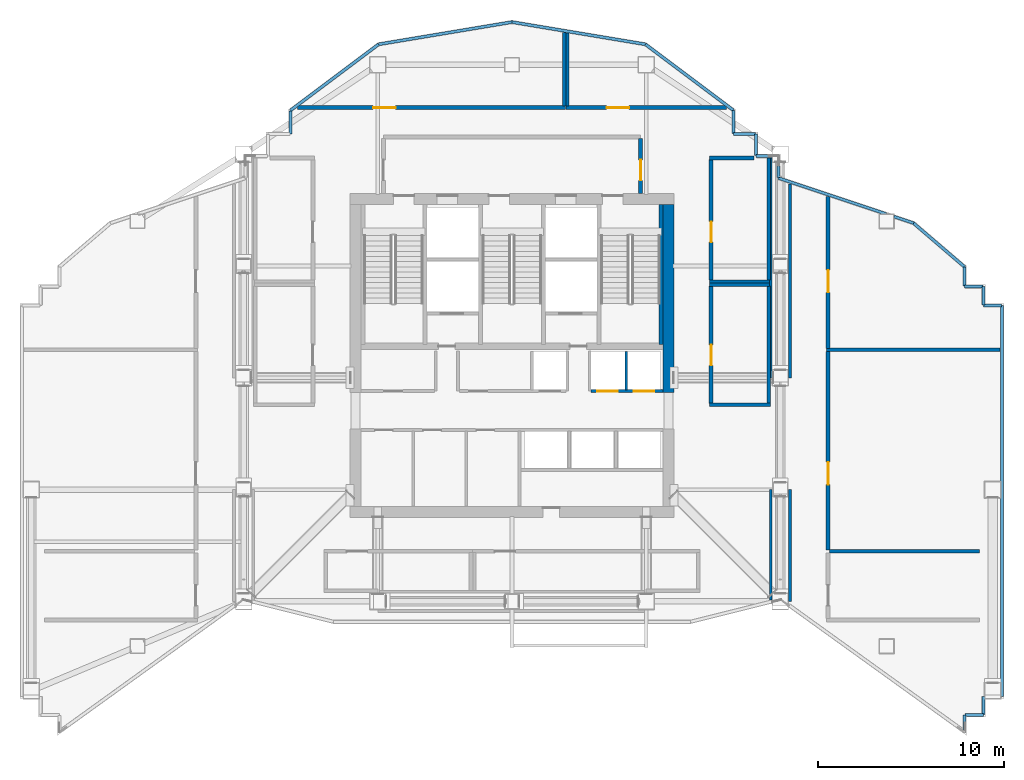
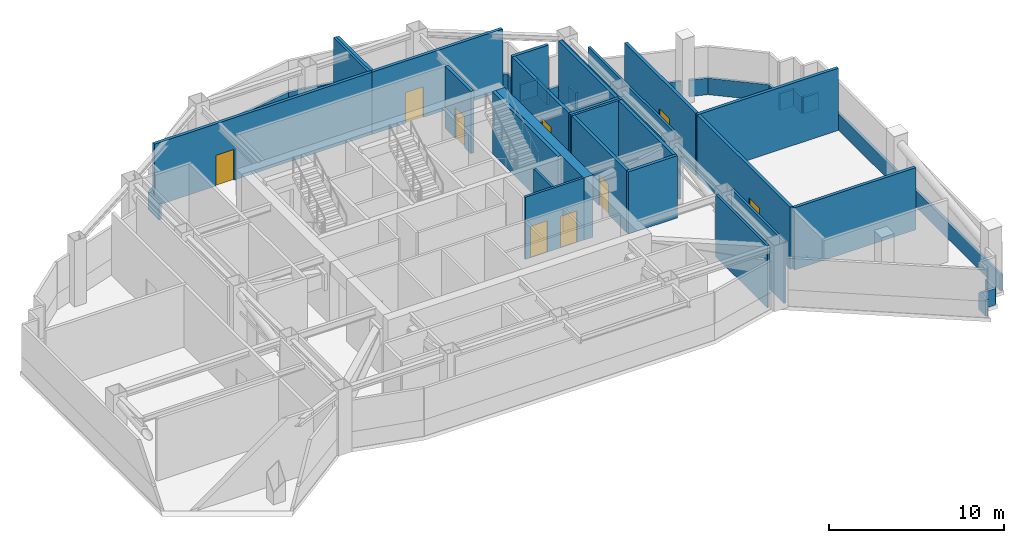
# One storey, part 14 of 19: 46 walls, 9 doors, 9 openings.
"""IFC4 building model written with IfcOpenShell, lengths in metres."""

from ifc_helpers import new_model, si_unit, direction, frame, frame_2d, origin, place, context, subcontext, project, spatial, rectangle, extrude, material, layer, layer_set, type_object, element, fill, save


model = new_model("IFC4")

# Units and contexts
model_context = context("Model", 3, precision=1e-05, world=origin(), true_north=direction((0.0, 1.0)))
body_context = subcontext(model_context, "Body", "Model", "MODEL_VIEW")
ifc_project = project(units=[si_unit("LENGTHUNIT", "METRE"), si_unit("AREAUNIT", "SQUARE_METRE"), si_unit("VOLUMEUNIT", "CUBIC_METRE"), si_unit("PLANEANGLEUNIT", "RADIAN"), si_unit("MASSUNIT", "GRAM", prefix="KILO")], contexts=[model_context])

# Site, building, storey
site_placement = place(None, origin())
site = spatial("IfcSite", under=ifc_project, at=site_placement, CompositionType="ELEMENT")
building_placement = place(site_placement, origin())
building = spatial("IfcBuilding", under=site, at=building_placement, Name="Haolan Belvedere Tower", CompositionType="ELEMENT")
storey_placement = place(building_placement, frame((0.0, 0.0, 230.60009765625)))
storey = spatial("IfcBuildingStorey", under=building, at=storey_placement, Name="L58", CompositionType="ELEMENT", Elevation=230.60009765625)

# Wall
ifc_material_1 = material(Name="Concrete C60/75", Category="concrete")
ifc_layer_1 = layer(ifc_material_1, 0.60009765625, Name="Concrete C60/75")
ifc_layer_set_1 = layer_set([ifc_layer_1], Name="Concrete C60/75")
wall_type_1 = type_object("IfcWallType", Name="WL-CORE-600", PredefinedType="SHEAR", material=ifc_layer_set_1)
wall_1_placement = place(storey_placement, frame((46.800048828125, 32.800048828125, 0.0), z_axis=(0.0, 0.0, 1.0), x_axis=(0.0, 1.0, 0.0)))
element("IfcWall", 1, at=wall_1_placement, inside=storey, type_object=wall_type_1, Name="L58 central core shear wall EN", PredefinedType="SHEAR", context=body_context, shape_type="SweptSolid", body=[
    extrude(rectangle(XDim=10.099853515625, YDim=0.60009765625, at=frame_2d((5.0498046875, 0.0))), origin(), (0.0, 0.0, 1.0), 4.349853515625),
])

# Wall, opening, door
ifc_material_2 = material(Name="Concrete C40/50", Category="concrete")
ifc_layer_2 = layer(ifc_material_2, 0.199951171875, Name="Concrete C40/50")
ifc_layer_set_2 = layer_set([ifc_layer_2], Name="Concrete C40/50")
wall_type_2 = type_object("IfcWallType", Name="WL-FIRE-200", PredefinedType="SOLIDWALL", material=ifc_layer_set_2)
wall_2_placement = place(storey_placement, frame((45.300048828125, 43.5, 0.0), z_axis=(0.0, 0.0, 1.0), x_axis=(0.0, 1.0, 0.0)))
wall_2 = element("IfcWall", 2, at=wall_2_placement, inside=storey, type_object=wall_type_2, Name="L58 interior partition IW-L58-FFL-E", PredefinedType="SOLIDWALL", context=body_context, shape_type="SweptSolid", body=[
    extrude(rectangle(XDim=2.93505859375, YDim=0.199951171875, at=frame_2d((1.467529296875, 0.0))), origin(), (0.0, 0.0, 1.0), 4.349853515625),
])
opening_1_placement = place(wall_2_placement, frame((0.699951171875, 0.0, 0.0)))
opening_1 = element("IfcOpeningElement", 3, at=opening_1_placement, cuts=wall_2, Name="Opening FD-03", PredefinedType="OPENING", context=body_context, shape_type="SweptSolid", body=[
    extrude(rectangle(XDim=1.10009765625, YDim=2.14990234375, at=frame_2d((0.550048828125, 1.074951171875))), frame((0.0, 0.10986328125, 0.0), z_axis=(0.0, -1.0, 0.0), x_axis=(1.0, 0.0, 0.0)), (0.0, 0.0, 1.0), 0.219970703125),
])
ifc_material_3 = material(Name="Galvanised fire-rated steel", Category="steel")
door_type_1 = type_object("IfcDoorType", Name="DR-FD90-1100", OperationType="NOTDEFINED", PredefinedType="DOOR", material=ifc_material_3)
door_1_placement = place(opening_1_placement, origin())
door_1 = element("IfcDoor", 4, at=door_1_placement, inside=storey, type_object=door_type_1, Name="L58 door ID-L58-FFL-DE", OperationType="SINGLE_SWING_RIGHT", OverallHeight=2.14990234375, OverallWidth=1.10009765625, PredefinedType="DOOR", context=body_context, shape_type="SweptSolid", body=[
    extrude(rectangle(XDim=1.10009765625, YDim=2.14990234375, at=frame_2d((0.550048828125, 1.074951171875))), frame((0.0, 0.02490234375, 0.0), z_axis=(0.0, -1.0, 0.0), x_axis=(1.0, 0.0, 0.0)), (0.0, 0.0, 1.0), 0.050048828125),
])
fill(opening_1, door_1)

# Wall
wall_3_placement = place(storey_placement, frame((55.280029296875, 35.10009765625, 0.0), z_axis=(0.0, 0.0, 1.0), x_axis=(1.0, 0.0, 0.0)))
element("IfcWall", 5, at=wall_3_placement, inside=storey, type_object=wall_type_2, Name="L58 interior partition IW-L58-REF-E1-N", PredefinedType="SOLIDWALL", context=body_context, shape_type="SweptSolid", body=[
    extrude(rectangle(XDim=9.307861328125, YDim=0.199951171875, at=frame_2d((4.65380859375, 0.0))), origin(), (0.0, 0.0, 1.0), 4.349853515625),
])

# Wall, opening, door
wall_4_placement = place(storey_placement, frame((55.360107421875, 24.3701171875, 0.0), z_axis=(0.0, 0.0, 1.0), x_axis=(0.0, 1.0, 0.0)))
wall_4 = element("IfcWall", 6, at=wall_4_placement, inside=storey, type_object=wall_type_2, Name="L58 interior partition IW-L58-REF-E1-W", PredefinedType="SOLIDWALL", context=body_context, shape_type="SweptSolid", body=[
    extrude(rectangle(XDim=10.644775390625, YDim=0.199951171875, at=frame_2d((5.322265625, 0.0))), origin(), (0.0, 0.0, 1.0), 4.349853515625),
])
opening_2_placement = place(wall_4_placement, frame((3.5, 0.0, 0.0)))
opening_2 = element("IfcOpeningElement", 7, at=opening_2_placement, cuts=wall_4, Name="Opening FD-02", PredefinedType="OPENING", context=body_context, shape_type="SweptSolid", body=[
    extrude(rectangle(XDim=1.199951171875, YDim=2.14990234375, at=frame_2d((0.60009765625, 1.074951171875))), frame((0.0, 0.10986328125, 0.0), z_axis=(0.0, -1.0, 0.0), x_axis=(1.0, 0.0, 0.0)), (0.0, 0.0, 1.0), 0.219970703125),
])
door_type_2 = type_object("IfcDoorType", Name="DR-FD90-1200", OperationType="NOTDEFINED", PredefinedType="DOOR", material=ifc_material_3)
door_2_placement = place(opening_2_placement, origin())
door_2 = element("IfcDoor", 8, at=door_2_placement, inside=storey, type_object=door_type_2, Name="L58 door ID-L58-REF-E1", OperationType="SINGLE_SWING_RIGHT", OverallHeight=2.14990234375, OverallWidth=1.199951171875, PredefinedType="DOOR", context=body_context, shape_type="SweptSolid", body=[
    extrude(rectangle(XDim=1.199951171875, YDim=2.14990234375, at=frame_2d((0.60009765625, 1.074951171875))), frame((0.0, 0.02490234375, 0.0), z_axis=(0.0, -1.0, 0.0), x_axis=(1.0, 0.0, 0.0)), (0.0, 0.0, 1.0), 0.050048828125),
])
fill(opening_2, door_2)

wall_5_placement = place(storey_placement, frame((55.360107421875, 35.18505859375, 0.0), z_axis=(0.0, 0.0, 1.0), x_axis=(0.0, 1.0, 0.0)))
wall_5 = element("IfcWall", 9, at=wall_5_placement, inside=storey, type_object=wall_type_2, Name="L58 interior partition IW-L58-REF-E2-W", PredefinedType="SOLIDWALL", context=body_context, shape_type="SweptSolid", body=[
    extrude(rectangle(XDim=8.13818359375, YDim=0.199951171875, at=frame_2d((4.069091796875, 0.0))), origin(), (0.0, 0.0, 1.0), 4.349853515625),
])
opening_3_placement = place(wall_5_placement, frame((2.9951171875, 0.0, 0.0)))
opening_3 = element("IfcOpeningElement", 10, at=opening_3_placement, cuts=wall_5, Name="Opening FD-02", PredefinedType="OPENING", context=body_context, shape_type="SweptSolid", body=[
    extrude(rectangle(XDim=1.199951171875, YDim=2.14990234375, at=frame_2d((0.60009765625, 1.074951171875))), frame((0.0, 0.10986328125, 0.0), z_axis=(0.0, -1.0, 0.0), x_axis=(1.0, 0.0, 0.0)), (0.0, 0.0, 1.0), 0.219970703125),
])
door_3_placement = place(opening_3_placement, origin())
door_3 = element("IfcDoor", 11, at=door_3_placement, inside=storey, type_object=door_type_2, Name="L58 door ID-L58-REF-E2", OperationType="SINGLE_SWING_LEFT", OverallHeight=2.14990234375, OverallWidth=1.199951171875, PredefinedType="DOOR", context=body_context, shape_type="SweptSolid", body=[
    extrude(rectangle(XDim=1.199951171875, YDim=2.14990234375, at=frame_2d((0.60009765625, 1.074951171875))), frame((0.0, 0.02490234375, 0.0), z_axis=(0.0, -1.0, 0.0), x_axis=(1.0, 0.0, 0.0)), (0.0, 0.0, 1.0), 0.050048828125),
])
fill(opening_3, door_3)

# Walls
wall_6_placement = place(storey_placement, frame((49.0, 38.60009765625, 0.0), z_axis=(0.0, 0.0, 1.0), x_axis=(1.0, 0.0, 0.0)))
element("IfcWall", 12, at=wall_6_placement, inside=storey, type_object=wall_type_2, Name="L58 interior partition IW-L58-REF-EI1-N", PredefinedType="SOLIDWALL", context=body_context, shape_type="SweptSolid", body=[
    extrude(rectangle(XDim=3.219970703125, YDim=0.199951171875, at=frame_2d((1.60986328125, 0.0))), origin(), (0.0, 0.0, 1.0), 4.349853515625),
])
wall_7_placement = place(storey_placement, frame((49.0, 32.14990234375, 0.0), z_axis=(0.0, 0.0, 1.0), x_axis=(1.0, 0.0, 0.0)))
element("IfcWall", 13, at=wall_7_placement, inside=storey, type_object=wall_type_2, Name="L58 interior partition IW-L58-REF-EI1-S", PredefinedType="SOLIDWALL", context=body_context, shape_type="SweptSolid", body=[
    extrude(rectangle(XDim=3.260009765625, YDim=0.199951171875, at=frame_2d((1.6298828125, 0.0))), origin(), (0.0, 0.0, 1.0), 4.349853515625),
])

# Wall, opening, door
wall_8_placement = place(storey_placement, frame((49.080078125, 32.235107421875, 0.0), z_axis=(0.0, 0.0, 1.0), x_axis=(0.0, 1.0, 0.0)))
wall_8 = element("IfcWall", 14, at=wall_8_placement, inside=storey, type_object=wall_type_2, Name="L58 interior partition IW-L58-REF-EI1-W", PredefinedType="SOLIDWALL", context=body_context, shape_type="SweptSolid", body=[
    extrude(rectangle(XDim=6.27978515625, YDim=0.199951171875, at=frame_2d((3.139892578125, 0.0))), origin(), (0.0, 0.0, 1.0), 4.349853515625),
])
opening_4_placement = place(wall_8_placement, frame((2.034912109375, 0.0, 0.0)))
opening_4 = element("IfcOpeningElement", 15, at=opening_4_placement, cuts=wall_8, Name="Opening FD-03", PredefinedType="OPENING", context=body_context, shape_type="SweptSolid", body=[
    extrude(rectangle(XDim=1.10009765625, YDim=2.14990234375, at=frame_2d((0.550048828125, 1.074951171875))), frame((0.0, 0.10986328125, 0.0), z_axis=(0.0, -1.0, 0.0), x_axis=(1.0, 0.0, 0.0)), (0.0, 0.0, 1.0), 0.219970703125),
])
door_4_placement = place(opening_4_placement, origin())
door_4 = element("IfcDoor", 16, at=door_4_placement, inside=storey, type_object=door_type_1, Name="L58 door ID-L58-REF-EI1", OperationType="SINGLE_SWING_RIGHT", OverallHeight=2.14990234375, OverallWidth=1.10009765625, PredefinedType="DOOR", context=body_context, shape_type="SweptSolid", body=[
    extrude(rectangle(XDim=1.10009765625, YDim=2.14990234375, at=frame_2d((0.550048828125, 1.074951171875))), frame((0.0, 0.02490234375, 0.0), z_axis=(0.0, -1.0, 0.0), x_axis=(1.0, 0.0, 0.0)), (0.0, 0.0, 1.0), 0.050048828125),
])
fill(opening_4, door_4)

# Walls
wall_9_placement = place(storey_placement, frame((52.179931640625, 32.235107421875, 0.0), z_axis=(0.0, 0.0, 1.0), x_axis=(0.0, 1.0, 0.0)))
element("IfcWall", 17, at=wall_9_placement, inside=storey, type_object=wall_type_2, Name="L58 interior partition IW-L58-REF-EI1-E", PredefinedType="SOLIDWALL", context=body_context, shape_type="SweptSolid", body=[
    extrude(rectangle(XDim=6.27978515625, YDim=0.199951171875, at=frame_2d((3.139892578125, 0.0))), origin(), (0.0, 0.0, 1.0), 4.349853515625),
])
wall_10_placement = place(storey_placement, frame((49.0, 45.39990234375, 0.0), z_axis=(0.0, 0.0, 1.0), x_axis=(1.0, 0.0, 0.0)))
element("IfcWall", 18, at=wall_10_placement, inside=storey, type_object=wall_type_2, Name="L58 interior partition IW-L58-REF-EI2-N", PredefinedType="SOLIDWALL", context=body_context, shape_type="SweptSolid", body=[
    extrude(rectangle(XDim=2.387939453125, YDim=0.199951171875, at=frame_2d((1.19384765625, 0.0))), origin(), (0.0, 0.0, 1.0), 4.349853515625),
])
wall_11_placement = place(storey_placement, frame((49.0, 38.760009765625, 0.0), z_axis=(0.0, 0.0, 1.0), x_axis=(1.0, 0.0, 0.0)))
element("IfcWall", 19, at=wall_11_placement, inside=storey, type_object=wall_type_2, Name="L58 interior partition IW-L58-REF-EI2-S", PredefinedType="SOLIDWALL", context=body_context, shape_type="SweptSolid", body=[
    extrude(rectangle(XDim=3.219970703125, YDim=0.199951171875, at=frame_2d((1.60986328125, 0.0))), origin(), (0.0, 0.0, 1.0), 4.349853515625),
])

# Wall, opening, door
wall_12_placement = place(storey_placement, frame((49.080078125, 38.844970703125, 0.0), z_axis=(0.0, 0.0, 1.0), x_axis=(0.0, 1.0, 0.0)))
wall_12 = element("IfcWall", 20, at=wall_12_placement, inside=storey, type_object=wall_type_2, Name="L58 interior partition IW-L58-REF-EI2-W", PredefinedType="SOLIDWALL", context=body_context, shape_type="SweptSolid", body=[
    extrude(rectangle(XDim=6.469970703125, YDim=0.199951171875, at=frame_2d((3.23486328125, 0.0))), origin(), (0.0, 0.0, 1.0), 4.349853515625),
])
opening_5_placement = place(wall_12_placement, frame((2.034912109375, 0.0, 0.0)))
opening_5 = element("IfcOpeningElement", 21, at=opening_5_placement, cuts=wall_12, Name="Opening FD-03", PredefinedType="OPENING", context=body_context, shape_type="SweptSolid", body=[
    extrude(rectangle(XDim=1.10009765625, YDim=2.14990234375, at=frame_2d((0.550048828125, 1.074951171875))), frame((0.0, 0.10986328125, 0.0), z_axis=(0.0, -1.0, 0.0), x_axis=(1.0, 0.0, 0.0)), (0.0, 0.0, 1.0), 0.219970703125),
])
door_5_placement = place(opening_5_placement, origin())
door_5 = element("IfcDoor", 22, at=door_5_placement, inside=storey, type_object=door_type_1, Name="L58 door ID-L58-REF-EI2", OperationType="SINGLE_SWING_LEFT", OverallHeight=2.14990234375, OverallWidth=1.10009765625, PredefinedType="DOOR", context=body_context, shape_type="SweptSolid", body=[
    extrude(rectangle(XDim=1.10009765625, YDim=2.14990234375, at=frame_2d((0.550048828125, 1.074951171875))), frame((0.0, 0.02490234375, 0.0), z_axis=(0.0, -1.0, 0.0), x_axis=(1.0, 0.0, 0.0)), (0.0, 0.0, 1.0), 0.050048828125),
])
fill(opening_5, door_5)

# Wall
wall_13_placement = place(storey_placement, frame((52.179931640625, 38.844970703125, 0.0), z_axis=(0.0, 0.0, 1.0), x_axis=(0.0, 1.0, 0.0)))
element("IfcWall", 23, at=wall_13_placement, inside=storey, type_object=wall_type_2, Name="L58 interior partition IW-L58-REF-EI2-E", PredefinedType="SOLIDWALL", context=body_context, shape_type="SweptSolid", body=[
    extrude(rectangle(XDim=6.54296875, YDim=0.199951171875, at=frame_2d((3.271484375, 0.0))), origin(), (0.0, 0.0, 1.0), 4.349853515625),
])

# Wall, opening, door
wall_14_placement = place(storey_placement, frame((26.88671875, 48.10009765625, 0.0), z_axis=(0.0, 0.0, 1.0), x_axis=(1.0, 0.0, 0.0)))
wall_14 = element("IfcWall", 24, at=wall_14_placement, inside=storey, type_object=wall_type_2, Name="L58 interior partition IW-L58-REF-NW-S", PredefinedType="SOLIDWALL", context=body_context, shape_type="SweptSolid", body=[
    extrude(rectangle(XDim=14.393310546875, YDim=0.199951171875, at=frame_2d((7.19677734375, 0.0))), origin(), (0.0, 0.0, 1.0), 4.349853515625),
])
opening_6_placement = place(wall_14_placement, frame((4.063232421875, 0.0, 0.0)))
opening_6 = element("IfcOpeningElement", 25, at=opening_6_placement, cuts=wall_14, Name="Opening FD-02", PredefinedType="OPENING", context=body_context, shape_type="SweptSolid", body=[
    extrude(rectangle(XDim=1.199951171875, YDim=2.14990234375, at=frame_2d((0.60009765625, 1.074951171875))), frame((0.0, 0.10986328125, 0.0), z_axis=(0.0, -1.0, 0.0), x_axis=(1.0, 0.0, 0.0)), (0.0, 0.0, 1.0), 0.219970703125),
])
door_6_placement = place(opening_6_placement, origin())
door_6 = element("IfcDoor", 26, at=door_6_placement, inside=storey, type_object=door_type_2, Name="L58 door ID-L58-REF-NW", OperationType="SINGLE_SWING_LEFT", OverallHeight=2.14990234375, OverallWidth=1.199951171875, PredefinedType="DOOR", context=body_context, shape_type="SweptSolid", body=[
    extrude(rectangle(XDim=1.199951171875, YDim=2.14990234375, at=frame_2d((0.60009765625, 1.074951171875))), frame((0.0, 0.02490234375, 0.0), z_axis=(0.0, -1.0, 0.0), x_axis=(1.0, 0.0, 0.0)), (0.0, 0.0, 1.0), 0.050048828125),
])
fill(opening_6, door_6)

# Wall
wall_15_placement = place(storey_placement, frame((41.199951171875, 48.18505859375, 0.0), z_axis=(0.0, 0.0, 1.0), x_axis=(0.0, 1.0, 0.0)))
element("IfcWall", 27, at=wall_15_placement, inside=storey, type_object=wall_type_2, Name="L58 interior partition IW-L58-REF-NW-E", PredefinedType="SOLIDWALL", context=body_context, shape_type="SweptSolid", body=[
    extrude(rectangle(XDim=3.933349609375, YDim=0.199951171875, at=frame_2d((1.966796875, 0.0))), origin(), (0.0, 0.0, 1.0), 4.349853515625),
])

# Wall, opening, door
wall_16_placement = place(storey_placement, frame((41.284912109375, 48.10009765625, 0.0), z_axis=(0.0, 0.0, 1.0), x_axis=(1.0, 0.0, 0.0)))
wall_16 = element("IfcWall", 28, at=wall_16_placement, inside=storey, type_object=wall_type_2, Name="L58 interior partition IW-L58-REF-NE-S", PredefinedType="SOLIDWALL", context=body_context, shape_type="SweptSolid", body=[
    extrude(rectangle(XDim=8.62841796875, YDim=0.199951171875, at=frame_2d((4.314208984375, 0.0))), origin(), (0.0, 0.0, 1.0), 4.349853515625),
])
opening_7_placement = place(wall_16_placement, frame((2.195068359375, 0.0, 0.0)))
opening_7 = element("IfcOpeningElement", 29, at=opening_7_placement, cuts=wall_16, Name="Opening FD-02", PredefinedType="OPENING", context=body_context, shape_type="SweptSolid", body=[
    extrude(rectangle(XDim=1.199951171875, YDim=2.14990234375, at=frame_2d((0.60009765625, 1.074951171875))), frame((0.0, 0.10986328125, 0.0), z_axis=(0.0, -1.0, 0.0), x_axis=(1.0, 0.0, 0.0)), (0.0, 0.0, 1.0), 0.219970703125),
])
door_7_placement = place(opening_7_placement, origin())
door_7 = element("IfcDoor", 30, at=door_7_placement, inside=storey, type_object=door_type_2, Name="L58 door ID-L58-REF-NE", OperationType="SINGLE_SWING_RIGHT", OverallHeight=2.14990234375, OverallWidth=1.199951171875, PredefinedType="DOOR", context=body_context, shape_type="SweptSolid", body=[
    extrude(rectangle(XDim=1.199951171875, YDim=2.14990234375, at=frame_2d((0.60009765625, 1.074951171875))), frame((0.0, 0.02490234375, 0.0), z_axis=(0.0, -1.0, 0.0), x_axis=(1.0, 0.0, 0.0)), (0.0, 0.0, 1.0), 0.050048828125),
])
fill(opening_7, door_7)

# Walls
wall_17_placement = place(storey_placement, frame((41.360107421875, 48.18505859375, 0.0), z_axis=(0.0, 0.0, 1.0), x_axis=(0.0, 1.0, 0.0)))
element("IfcWall", 31, at=wall_17_placement, inside=storey, type_object=wall_type_2, Name="L58 interior partition IW-L58-REF-NE-W", PredefinedType="SOLIDWALL", context=body_context, shape_type="SweptSolid", body=[
    extrude(rectangle(XDim=3.90673828125, YDim=0.199951171875, at=frame_2d((1.953369140625, 0.0))), origin(), (0.0, 0.0, 1.0), 4.349853515625),
])
wall_18_placement = place(storey_placement, frame((55.445068359375, 24.2900390625, 0.0), z_axis=(0.0, 0.0, 1.0), x_axis=(1.0, 0.0, 0.0)))
element("IfcWall", 32, at=wall_18_placement, inside=storey, type_object=wall_type_2, Name="L58 interior partition IW-L58-PLT-TNK-N", PredefinedType="SOLIDWALL", context=body_context, shape_type="SweptSolid", body=[
    extrude(rectangle(XDim=8.034912109375, YDim=0.199951171875, at=frame_2d((4.017578125, 0.0))), origin(), (0.0, 0.0, 1.0), 4.349853515625),
])
ifc_material_4 = material(Name="Precast concrete C40/50", Category="concrete")
ifc_layer_3 = layer(ifc_material_4, 0.159912109375, Name="Precast concrete C40/50")
ifc_layer_set_3 = layer_set([ifc_layer_3], Name="Precast concrete C40/50")
wall_type_3 = type_object("IfcWallType", Name="WL-PAR-160", PredefinedType="PARAPET", material=ifc_layer_set_3)
wall_19_placement = place(storey_placement, frame((62.68994140625, 14.70458984375, 0.0), z_axis=(0.0, 0.0, 1.0), x_axis=(0.0, 1.0, 0.0)))
element("IfcWall", 33, at=wall_19_placement, inside=storey, type_object=wall_type_3, Name="L58 refuge open-band parapet 4.1", PredefinedType="PARAPET", context=body_context, shape_type="SweptSolid", body=[
    extrude(rectangle(XDim=0.805419921875, YDim=0.159912109375, at=frame_2d((0.40283203125, 0.0))), origin(), (0.0, 0.0, 1.0), 1.14990234375),
])
for number, where, z_axis, x_axis, name in (
    (34, (62.719970703125, 15.510009765625, 0.0), (0.0, 0.0, 1.0), (1.0, 0.0, 0.0), "L58 refuge open-band parapet 5.1"),
    (35, (63.68994140625, 15.5400390625, 0.0), (0.0, 0.0, 1.0), (0.0, 1.0, 0.0), "L58 refuge open-band parapet 6.1"),
):
    element("IfcWall", number, at=place(storey_placement, frame(where, z_axis=z_axis, x_axis=x_axis)), inside=storey, type_object=wall_type_3, Name=name, PredefinedType="PARAPET", context=body_context, shape_type="SweptSolid", body=[
        extrude(rectangle(XDim=0.969970703125, YDim=0.159912109375, at=frame_2d((0.48486328125, 0.0))), origin(), (0.0, 0.0, 1.0), 1.14990234375),
    ])
wall_20_placement = place(storey_placement, frame((64.68994140625, 16.510009765625, 0.0), z_axis=(0.0, 0.0, 1.0), x_axis=(0.0, 1.0, 0.0)))
element("IfcWall", 36, at=wall_20_placement, inside=storey, type_object=wall_type_3, Name="L58 refuge open-band parapet 8.1", PredefinedType="PARAPET", context=body_context, shape_type="SweptSolid", body=[
    extrude(rectangle(XDim=20.97998046875, YDim=0.159912109375, at=frame_2d((10.489990234375, 0.0))), origin(), (0.0, 0.0, 1.0), 1.14990234375),
])
for number, where, z_axis, x_axis, name in (
    (37, (64.659912109375, 37.489990234375, 0.0), (0.0, 0.0, 1.0), (-1.0, 0.0, 0.0), "L58 refuge open-band parapet 9.1"),
    (38, (63.68994140625, 37.52001953125, 0.0), (0.0, 0.0, 1.0), (0.0, 1.0, 0.0), "L58 refuge open-band parapet 10.1"),
    (39, (63.659912109375, 38.489990234375, 0.0), (0.0, 0.0, 1.0), (-1.0, 0.0, 0.0), "L58 refuge open-band parapet 11.1"),
):
    element("IfcWall", number, at=place(storey_placement, frame(where, z_axis=z_axis, x_axis=x_axis)), inside=storey, type_object=wall_type_3, Name=name, PredefinedType="PARAPET", context=body_context, shape_type="SweptSolid", body=[
        extrude(rectangle(XDim=0.969970703125, YDim=0.159912109375, at=frame_2d((0.48486328125, 0.0))), origin(), (0.0, 0.0, 1.0), 1.14990234375),
    ])
wall_21_placement = place(storey_placement, frame((62.68994140625, 38.52001953125, 0.0), z_axis=(0.0, 0.0, 1.0), x_axis=(0.0, 1.0, 0.0)))
element("IfcWall", 40, at=wall_21_placement, inside=storey, type_object=wall_type_3, Name="L58 refuge open-band parapet 12.1", PredefinedType="PARAPET", context=body_context, shape_type="SweptSolid", body=[
    extrude(rectangle(XDim=1.029296875, YDim=0.159912109375, at=frame_2d((0.5146484375, 0.0))), origin(), (0.0, 0.0, 1.0), 1.14990234375),
])
wall_22_placement = place(storey_placement, frame((62.68994140625, 39.54931640625, 0.0), z_axis=(0.0, 0.0, 1.0), x_axis=(-0.759213704594, 0.650841417518, 0.0)))
element("IfcWall", 41, at=wall_22_placement, inside=storey, type_object=wall_type_3, Name="L58 refuge open-band parapet 13.1", PredefinedType="PARAPET", context=body_context, shape_type="SweptSolid", body=[
    extrude(rectangle(XDim=3.61572265625, YDim=0.159912109375, at=frame_2d((1.807861328125, 0.0))), origin(), (0.0, 0.0, 1.0), 1.14990234375),
])
wall_23_placement = place(storey_placement, frame((59.94482421875, 41.902587890625, 0.0), z_axis=(0.0, 0.0, 1.0), x_axis=(-0.948705297269, 0.316161760709, 0.0)))
element("IfcWall", 42, at=wall_23_placement, inside=storey, type_object=wall_type_3, Name="L58 refuge open-band parapet 14.1", PredefinedType="PARAPET", context=body_context, shape_type="SweptSolid", body=[
    extrude(rectangle(XDim=1.109619140625, YDim=0.159912109375, at=frame_2d((0.5546875, 0.0))), origin(), (0.0, 0.0, 1.0), 1.14990234375),
])
wall_24_placement = place(storey_placement, frame((58.476318359375, 42.39208984375, 0.0), z_axis=(0.0, 0.0, 1.0), x_axis=(-0.948687300706, 0.316215757798, 0.0)))
element("IfcWall", 43, at=wall_24_placement, inside=storey, type_object=wall_type_3, Name="L58 refuge open-band parapet 14.2", PredefinedType="PARAPET", context=body_context, shape_type="SweptSolid", body=[
    extrude(rectangle(XDim=6.099365234375, YDim=0.159912109375, at=frame_2d((3.0498046875, 0.0))), origin(), (0.0, 0.0, 1.0), 1.14990234375),
])
wall_25_placement = place(storey_placement, frame((52.68994140625, 44.3505859375, 0.0), z_axis=(0.0, 0.0, 1.0), x_axis=(0.0, 1.0, 0.0)))
element("IfcWall", 44, at=wall_25_placement, inside=storey, type_object=wall_type_3, Name="L58 refuge open-band parapet 15.1", PredefinedType="PARAPET", context=body_context, shape_type="SweptSolid", body=[
    extrude(rectangle(XDim=0.807373046875, YDim=0.159912109375, at=frame_2d((0.40380859375, 0.0))), origin(), (0.0, 0.0, 1.0), 1.14990234375),
])
wall_26_placement = place(storey_placement, frame((52.35791015625, 45.489990234375, 0.0), z_axis=(0.0, 0.0, 1.0), x_axis=(-1.0, 0.0, 0.0)))
element("IfcWall", 45, at=wall_26_placement, inside=storey, type_object=wall_type_3, Name="L58 refuge open-band parapet 16.1", PredefinedType="PARAPET", context=body_context, shape_type="SweptSolid", body=[
    extrude(rectangle(XDim=0.867919921875, YDim=0.159912109375, at=frame_2d((0.43408203125, 0.0))), origin(), (0.0, 0.0, 1.0), 1.14990234375),
])
for number, where, z_axis, x_axis, name in (
    (46, (51.489990234375, 45.52001953125, 0.0), (0.0, 0.0, 1.0), (0.0, 1.0, 0.0), "L58 refuge open-band parapet 17.1"),
    (47, (51.4599609375, 46.68994140625, 0.0), (0.0, 0.0, 1.0), (-1.0, 0.0, 0.0), "L58 refuge open-band parapet 18.1"),
):
    element("IfcWall", number, at=place(storey_placement, frame(where, z_axis=z_axis, x_axis=x_axis)), inside=storey, type_object=wall_type_3, Name=name, PredefinedType="PARAPET", context=body_context, shape_type="SweptSolid", body=[
        extrude(rectangle(XDim=1.169921875, YDim=0.159912109375, at=frame_2d((0.5849609375, 0.0))), origin(), (0.0, 0.0, 1.0), 1.14990234375),
    ])
wall_27_placement = place(storey_placement, frame((50.2900390625, 46.719970703125, 0.0), z_axis=(0.0, 0.0, 1.0), x_axis=(0.0, 1.0, 0.0)))
element("IfcWall", 48, at=wall_27_placement, inside=storey, type_object=wall_type_3, Name="L58 refuge open-band parapet 19.1", PredefinedType="PARAPET", context=body_context, shape_type="SweptSolid", body=[
    extrude(rectangle(XDim=1.22509765625, YDim=0.159912109375, at=frame_2d((0.612548828125, 0.0))), origin(), (0.0, 0.0, 1.0), 1.14990234375),
])
wall_28_placement = place(storey_placement, frame((50.278076171875, 47.9541015625, 0.0), z_axis=(0.0, 0.0, 1.0), x_axis=(-0.800019851171, 0.599973530859, 0.0)))
element("IfcWall", 49, at=wall_28_placement, inside=storey, type_object=wall_type_3, Name="L58 refuge open-band parapet 20.1", PredefinedType="PARAPET", context=body_context, shape_type="SweptSolid", body=[
    extrude(rectangle(XDim=5.903076171875, YDim=0.159912109375, at=frame_2d((2.95166015625, 0.0))), origin(), (0.0, 0.0, 1.0), 1.14990234375),
])
for number, where, z_axis, x_axis, name in (
    (50, (45.555419921875, 51.495849609375, 0.0), (0.0, 0.0, 1.0), (-0.986393014224, 0.164404444863, 0.0), "L58 refuge open-band parapet 21.1"),
    (51, (38.39990234375, 52.6884765625, 0.0), (0.0, 0.0, 1.0), (-0.986393014224, -0.164404444863, 0.0), "L58 refuge open-band parapet 22.1"),
):
    element("IfcWall", number, at=place(storey_placement, frame(where, z_axis=z_axis, x_axis=x_axis)), inside=storey, type_object=wall_type_3, Name=name, PredefinedType="PARAPET", context=body_context, shape_type="SweptSolid", body=[
        extrude(rectangle(XDim=7.254150390625, YDim=0.159912109375, at=frame_2d((3.626953125, 0.0))), origin(), (0.0, 0.0, 1.0), 1.14990234375),
    ])
wall_29_placement = place(storey_placement, frame((31.244384765625, 51.495849609375, 0.0), z_axis=(0.0, 0.0, 1.0), x_axis=(-0.8, -0.6, 0.0)))
element("IfcWall", 52, at=wall_29_placement, inside=storey, type_object=wall_type_3, Name="L58 refuge open-band parapet 23.1", PredefinedType="PARAPET", context=body_context, shape_type="SweptSolid", body=[
    extrude(rectangle(XDim=5.91796875, YDim=0.159912109375, at=frame_2d((2.958984375, 0.0))), origin(), (0.0, 0.0, 1.0), 1.14990234375),
])
wall_30_placement = place(storey_placement, frame((26.510009765625, 47.929931640625, 0.0), z_axis=(0.0, 0.0, 1.0), x_axis=(0.0, -1.0, 0.0)))
element("IfcWall", 53, at=wall_30_placement, inside=storey, type_object=wall_type_3, Name="L58 refuge open-band parapet 24.1", PredefinedType="PARAPET", context=body_context, shape_type="SweptSolid", body=[
    extrude(rectangle(XDim=1.239990234375, YDim=0.159912109375, at=frame_2d((0.6201171875, 0.0))), origin(), (0.0, 0.0, 1.0), 1.14990234375),
])
ifc_material_5 = material(Name="Double gypsum acoustic stud partition", Category="masonry")
ifc_layer_4 = layer(ifc_material_5, 0.14990234375, Name="Double gypsum acoustic stud partition")
ifc_layer_set_4 = layer_set([ifc_layer_4], Name="Double gypsum acoustic stud partition")
wall_type_4 = type_object("IfcWallType", Name="WL-PART-150", PredefinedType="PARTITIONING", material=ifc_layer_set_4)
wall_31_placement = place(storey_placement, frame((53.320068359375, 21.60009765625, 0.0), z_axis=(0.0, 0.0, 1.0), x_axis=(0.0, 1.0, 0.0)))
element("IfcWall", 54, at=wall_31_placement, inside=storey, type_object=wall_type_4, Name="L58 interior partition IW-L58-CH-BTE1-1", PredefinedType="PARTITIONING", context=body_context, shape_type="SweptSolid", body=[
    extrude(rectangle(XDim=6.0, YDim=0.14990234375, at=frame_2d((3.0, 0.0))), origin(), (0.0, 0.0, 1.0), 4.349853515625),
])
wall_32_placement = place(storey_placement, frame((52.280029296875, 21.6884765625, 0.0), z_axis=(0.0, 0.0, 1.0), x_axis=(0.0, 1.0, 0.0)))
element("IfcWall", 55, at=wall_32_placement, inside=storey, type_object=wall_type_4, Name="L58 interior partition IW-L58-CH-BTE1-2", PredefinedType="PARTITIONING", context=body_context, shape_type="SweptSolid", body=[
    extrude(rectangle(XDim=5.91162109375, YDim=0.14990234375, at=frame_2d((2.955810546875, 0.0))), origin(), (0.0, 0.0, 1.0), 4.349853515625),
])
wall_33_placement = place(storey_placement, frame((53.320068359375, 33.60009765625, 0.0), z_axis=(0.0, 0.0, 1.0), x_axis=(0.0, 1.0, 0.0)))
element("IfcWall", 56, at=wall_33_placement, inside=storey, type_object=wall_type_4, Name="L58 interior partition IW-L58-CH-BTE3-1", PredefinedType="PARTITIONING", context=body_context, shape_type="SweptSolid", body=[
    extrude(rectangle(XDim=10.403076171875, YDim=0.14990234375, at=frame_2d((5.20166015625, 0.0))), origin(), (0.0, 0.0, 1.0), 4.349853515625),
])
wall_34_placement = place(storey_placement, frame((52.280029296875, 33.60009765625, 0.0), z_axis=(0.0, 0.0, 1.0), x_axis=(0.0, 1.0, 0.0)))
element("IfcWall", 57, at=wall_34_placement, inside=storey, type_object=wall_type_4, Name="L58 interior partition IW-L58-CH-BTE3-2", PredefinedType="PARTITIONING", context=body_context, shape_type="SweptSolid", body=[
    extrude(rectangle(XDim=11.787841796875, YDim=0.14990234375, at=frame_2d((5.89404296875, 0.0))), origin(), (0.0, 0.0, 1.0), 4.349853515625),
])

# Wall, openings, doors
ifc_material_6 = material(Name="Gypsum fire shaftwall assembly", Category="masonry")
ifc_layer_5 = layer(ifc_material_6, 0.1650390625, Name="Gypsum fire shaftwall assembly")
ifc_layer_set_5 = layer_set([ifc_layer_5], Name="Gypsum fire shaftwall assembly")
wall_type_5 = type_object("IfcWallType", Name="WL-SHAFT-160", PredefinedType="SOLIDWALL", material=ifc_layer_set_5)
wall_35_placement = place(storey_placement, frame((42.6298828125, 32.8798828125, 0.0), z_axis=(0.0, 0.0, 1.0), x_axis=(1.0, 0.0, 0.0)))
wall_35 = element("IfcWall", 58, at=wall_35_placement, inside=storey, type_object=wall_type_5, Name="L58 interior partition IW-L58-ROW-PN3", PredefinedType="SOLIDWALL", context=body_context, shape_type="SweptSolid", body=[
    extrude(rectangle(XDim=3.8701171875, YDim=0.159912109375, at=frame_2d((1.93505859375, 0.0))), origin(), (0.0, 0.0, 1.0), 4.349853515625),
])
opening_8_placement = place(wall_35_placement, frame((1.4501953125, 0.0, 0.0), z_axis=(0.0, 0.0, 1.0), x_axis=(-1.0, 0.0, 0.0)))
opening_8 = element("IfcOpeningElement", 59, at=opening_8_placement, cuts=wall_35, Name="Opening LD-01", PredefinedType="OPENING", context=body_context, shape_type="SweptSolid", body=[
    extrude(rectangle(XDim=1.10009765625, YDim=2.199951171875, at=frame_2d((0.550048828125, 1.10009765625))), frame((0.0, 0.08984375, 0.0), z_axis=(0.0, -1.0, 0.0), x_axis=(1.0, 0.0, 0.0)), (0.0, 0.0, 1.0), 0.179931640625),
])
opening_9_placement = place(wall_35_placement, frame((3.41015625, 0.0, 0.0), z_axis=(0.0, 0.0, 1.0), x_axis=(-1.0, 0.0, 0.0)))
opening_9 = element("IfcOpeningElement", 60, at=opening_9_placement, cuts=wall_35, Name="Opening LD-01", PredefinedType="OPENING", context=body_context, shape_type="SweptSolid", body=[
    extrude(rectangle(XDim=1.10009765625, YDim=2.199951171875, at=frame_2d((0.550048828125, 1.10009765625))), frame((0.0, 0.08984375, 0.0), z_axis=(0.0, -1.0, 0.0), x_axis=(1.0, 0.0, 0.0)), (0.0, 0.0, 1.0), 0.179931640625),
])
ifc_material_7 = material(Name="Brushed champagne stainless steel 316L", Category="steel")
door_type_3 = type_object("IfcDoorType", Name="DR-LIFT-1100", OperationType="SLIDING_TO_LEFT", PredefinedType="DOOR", material=ifc_material_7)
door_8_placement = place(opening_8_placement, origin())
door_8 = element("IfcDoor", 61, at=door_8_placement, inside=storey, type_object=door_type_3, Name="L58 door ID-L58-LD-PH2", OperationType="SLIDING_TO_RIGHT", OverallHeight=2.199951171875, OverallWidth=1.10009765625, PredefinedType="DOOR", context=body_context, shape_type="SweptSolid", body=[
    extrude(rectangle(XDim=1.10009765625, YDim=2.199951171875, at=frame_2d((0.550048828125, 1.10009765625))), frame((0.0, 0.02490234375, 0.0), z_axis=(0.0, -1.0, 0.0), x_axis=(1.0, 0.0, 0.0)), (0.0, 0.0, 1.0), 0.050048828125),
])
fill(opening_8, door_8)
door_9_placement = place(opening_9_placement, origin())
door_9 = element("IfcDoor", 62, at=door_9_placement, inside=storey, type_object=door_type_3, Name="L58 door ID-L58-LD-PH3", OperationType="SLIDING_TO_RIGHT", OverallHeight=2.199951171875, OverallWidth=1.10009765625, PredefinedType="DOOR", context=body_context, shape_type="SweptSolid", body=[
    extrude(rectangle(XDim=1.10009765625, YDim=2.199951171875, at=frame_2d((0.550048828125, 1.10009765625))), frame((0.0, 0.02490234375, 0.0), z_axis=(0.0, -1.0, 0.0), x_axis=(1.0, 0.0, 0.0)), (0.0, 0.0, 1.0), 0.050048828125),
])
fill(opening_9, door_9)

# Walls
wall_36_placement = place(storey_placement, frame((44.530029296875, 32.949951171875, 0.0), z_axis=(0.0, 0.0, 1.0), x_axis=(0.0, 1.0, 0.0)))
element("IfcWall", 63, at=wall_36_placement, inside=storey, type_object=wall_type_5, Name="L58 interior partition IW-L58-DIV-PH2", PredefinedType="SOLIDWALL", context=body_context, shape_type="SweptSolid", body=[
    extrude(rectangle(XDim=2.050048828125, YDim=0.14990234375, at=frame_2d((1.02490234375, 0.0))), origin(), (0.0, 0.0, 1.0), 4.349853515625),
])
ifc_material_8 = material(Name="Concrete C50/60", Category="concrete")
ifc_layer_6 = layer(ifc_material_8, 0.219970703125, Name="Concrete C50/60")
ifc_layer_set_6 = layer_set([ifc_layer_6], Name="Concrete C50/60")
wall_type_6 = type_object("IfcWallType", Name="WL-STAIR-220", PredefinedType="SHEAR", material=ifc_layer_set_6)
wall_37_placement = place(storey_placement, frame((46.387939453125, 35.389892578125, 0.0), z_axis=(0.0, 0.0, 1.0), x_axis=(0.0, 1.0, 0.0)))
element("IfcWall", 64, at=wall_37_placement, inside=storey, type_object=wall_type_6, Name="L58 structural stair core wall ST2E", PredefinedType="SHEAR", context=body_context, shape_type="SweptSolid", body=[
    extrude(rectangle(XDim=7.510009765625, YDim=0.219970703125, at=frame_2d((3.7548828125, 0.0))), origin(), (0.0, 0.0, 1.0), 4.349853515625),
])

save(model, "model.ifc")
